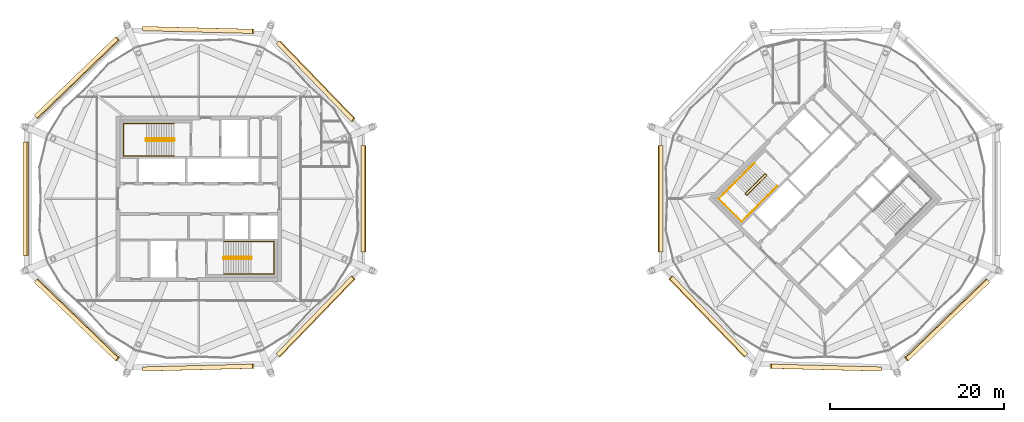
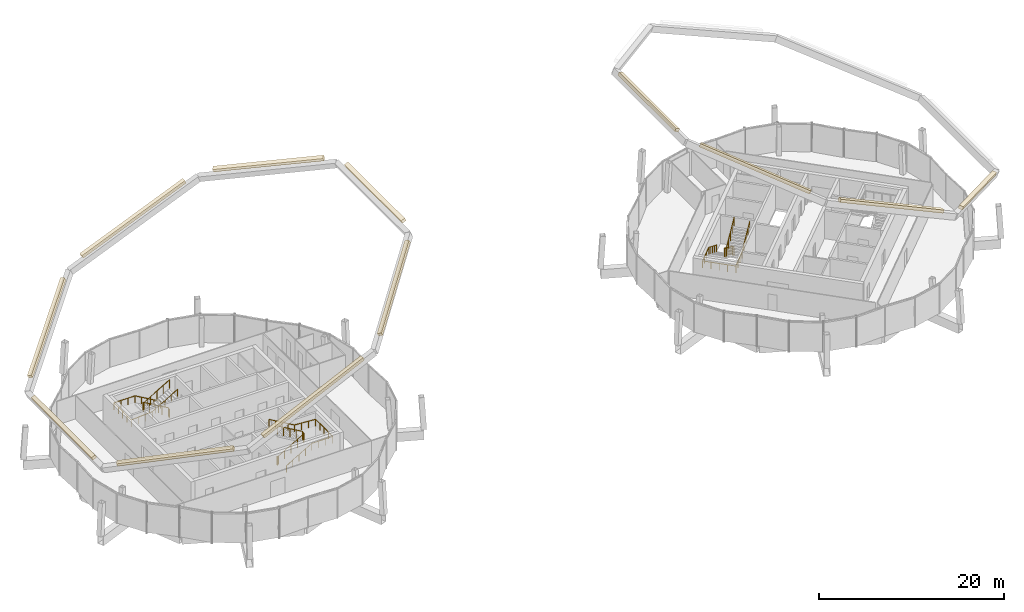
# One storey, part 33 of 34: 12 coverings, 6 railings.
"""IFC4 building model written with IfcOpenShell, lengths in metres."""

from ifc_helpers import new_model, si_unit, direction, frame, origin, origin_2d, place, context, subcontext, project, spatial, rectangle, circle, extrude, material, material_profile, profile_set, type_object, element, save


model = new_model("IFC4")

# Units and contexts
model_context = context("Model", 3, precision=1e-05, world=origin(), true_north=direction((0.0, 1.0)))
body_context = subcontext(model_context, "Body", "Model", "MODEL_VIEW")
ifc_project = project(units=[si_unit("LENGTHUNIT", "METRE"), si_unit("AREAUNIT", "SQUARE_METRE"), si_unit("VOLUMEUNIT", "CUBIC_METRE"), si_unit("PLANEANGLEUNIT", "RADIAN"), si_unit("MASSUNIT", "GRAM", prefix="KILO")], contexts=[model_context])

# Site, building, storey
site_placement = place(None, origin())
site = spatial("IfcSite", under=ifc_project, at=site_placement, CompositionType="ELEMENT")
building_placement = place(site_placement, origin())
building = spatial("IfcBuilding", under=site, at=building_placement, Name="Ogive Gate Towers", CompositionType="ELEMENT")
storey_placement = place(building_placement, frame((0.0, 0.0, 294.0)))
storey = spatial("IfcBuildingStorey", under=building, at=storey_placement, Name="L69", CompositionType="ELEMENT", Elevation=294.0)

# Coverings
ifc_material_1 = material(Name="Cast stone", Category="masonry")
ifc_material_profile = material_profile(ifc_material_1, rectangle(XDim=0.5, YDim=0.39990234375, at=origin_2d()), Name="500 x 400 cast stone")
ifc_profile_set = profile_set([ifc_material_profile], Name="Cast stone")
covering_type = type_object("IfcCoveringType", Name="Crown cornice 500 x 400", PredefinedType="CLADDING", material=ifc_profile_set)
covering_1_placement = place(storey_placement, frame((-18.24755859375, 9.06396484375, 25.660888671875), z_axis=(-0.663296177805, 0.687016902692, -0.296725388069), x_axis=(0.627119673636, 0.72664143516, 0.280558620696)))
element("IfcCovering", 1, at=covering_1_placement, inside=storey, type_object=covering_type, Name="Crown cornice", PredefinedType="CLADDING", context=body_context, shape_type="SweptSolid", body=[
    extrude(rectangle(XDim=0.5, YDim=0.39990234375, at=origin_2d()), origin(), (0.0, 0.0, 1.0), 12.978515625),
])
covering_2_placement = place(storey_placement, frame((-29.740478515625, 19.248291015625, 20.519287109375), z_axis=(-0.912579006378, 0.023066323547, -0.408249313332), x_axis=(0.021056929922, 0.999733936958, 0.009415996893)))
element("IfcCovering", 2, at=covering_2_placement, inside=storey, type_object=covering_type, Name="Crown cornice", PredefinedType="CLADDING", context=body_context, shape_type="SweptSolid", body=[
    extrude(rectangle(XDim=0.5, YDim=0.39990234375, at=origin_2d()), origin(), (0.0, 0.0, 1.0), 13.886474609375),
])
covering_3_placement = place(storey_placement, frame((-45.343994140625, 18.428466796875, 13.538818359375), z_axis=(-0.685199358408, -0.660709384218, -0.306537026873), x_axis=(-0.603105125089, 0.750641798456, -0.269816786918)))
element("IfcCovering", 3, at=covering_3_placement, inside=storey, type_object=covering_type, Name="Crown cornice", PredefinedType="CLADDING", context=body_context, shape_type="SweptSolid", body=[
    extrude(rectangle(XDim=0.5, YDim=0.39990234375, at=origin_2d()), origin(), (0.0, 0.0, 1.0), 13.61767578125),
])
covering_4_placement = place(storey_placement, frame((-55.903076171875, 6.54052734375, 8.815185546875), z_axis=(0.0, -1.0, 0.0), x_axis=(-0.912819923255, 0.0, -0.408362324056)))
element("IfcCovering", 4, at=covering_4_placement, inside=storey, type_object=covering_type, Name="Crown cornice", PredefinedType="CLADDING", context=body_context, shape_type="SweptSolid", body=[
    extrude(rectangle(XDim=0.5, YDim=0.39990234375, at=origin_2d()), origin(), (0.0, 0.0, 1.0), 13.0810546875),
])
covering_5_placement = place(storey_placement, frame((-54.6748046875, -9.43115234375, 9.364501953125), z_axis=(0.685199358408, -0.660709384218, 0.306537026873), x_axis=(-0.603105125089, -0.750641798456, -0.269816786918)))
element("IfcCovering", 5, at=covering_5_placement, inside=storey, type_object=covering_type, Name="Crown cornice", PredefinedType="CLADDING", context=body_context, shape_type="SweptSolid", body=[
    extrude(rectangle(XDim=0.5, YDim=0.39990234375, at=origin_2d()), origin(), (0.0, 0.0, 1.0), 13.61767578125),
])
covering_6_placement = place(storey_placement, frame((-42.4130859375, -19.568603515625, 14.85009765625), z_axis=(0.912579006378, 0.023066323547, 0.408249313332), x_axis=(0.021056929922, -0.999733936958, 0.009415996893)))
element("IfcCovering", 6, at=covering_6_placement, inside=storey, type_object=covering_type, Name="Crown cornice", PredefinedType="CLADDING", context=body_context, shape_type="SweptSolid", body=[
    extrude(rectangle(XDim=0.5, YDim=0.39990234375, at=origin_2d()), origin(), (0.0, 0.0, 1.0), 13.886474609375),
])
covering_7_placement = place(storey_placement, frame((-26.856201171875, -17.98046875, 21.809814453125), z_axis=(0.663296177805, 0.687016902692, 0.296725388069), x_axis=(0.627119673636, -0.72664143516, 0.280558620696)))
element("IfcCovering", 7, at=covering_7_placement, inside=storey, type_object=covering_type, Name="Crown cornice", PredefinedType="CLADDING", context=body_context, shape_type="SweptSolid", body=[
    extrude(rectangle(XDim=0.5, YDim=0.39990234375, at=origin_2d()), origin(), (0.0, 0.0, 1.0), 12.978515625),
])
for number, where, z_axis, x_axis, name in (
    (8, (-17.06591796875, -6.13916015625, 26.189697265625), (0.0, 1.0, 0.0), (0.912819923255, 0.0, 0.408362324056), "Crown cornice"),
    (9, (17.06591796875, 6.13916015625, 26.189697265625), (0.0, -1.0, 0.0), (-0.912819923255, 0.0, 0.408362324056), "Crown cornice"),
):
    element("IfcCovering", number, at=place(storey_placement, frame(where, z_axis=z_axis, x_axis=x_axis)), inside=storey, type_object=covering_type, Name=name, PredefinedType="CLADDING", context=body_context, shape_type="SweptSolid", body=[
        extrude(rectangle(XDim=0.5, YDim=0.39990234375, at=origin_2d()), origin(), (0.0, 0.0, 1.0), 12.2783203125),
    ])
covering_8_placement = place(storey_placement, frame((18.24755859375, -9.06396484375, 25.660888671875), z_axis=(0.663296177805, -0.687016902692, -0.296725388069), x_axis=(-0.627119673636, -0.72664143516, 0.280558620696)))
element("IfcCovering", 10, at=covering_8_placement, inside=storey, type_object=covering_type, Name="Crown cornice", PredefinedType="CLADDING", context=body_context, shape_type="SweptSolid", body=[
    extrude(rectangle(XDim=0.5, YDim=0.39990234375, at=origin_2d()), origin(), (0.0, 0.0, 1.0), 12.978515625),
])
covering_9_placement = place(storey_placement, frame((29.740478515625, -19.248291015625, 20.519287109375), z_axis=(0.912579006378, -0.023066323547, -0.408249313332), x_axis=(-0.021056929922, -0.999733936958, 0.009415996893)))
element("IfcCovering", 11, at=covering_9_placement, inside=storey, type_object=covering_type, Name="Crown cornice", PredefinedType="CLADDING", context=body_context, shape_type="SweptSolid", body=[
    extrude(rectangle(XDim=0.5, YDim=0.39990234375, at=origin_2d()), origin(), (0.0, 0.0, 1.0), 13.886474609375),
])
covering_10_placement = place(storey_placement, frame((45.343994140625, -18.428466796875, 13.538818359375), z_axis=(0.685199358408, 0.660709384218, -0.306537026873), x_axis=(0.603105125089, -0.750641798456, -0.269816786918)))
element("IfcCovering", 12, at=covering_10_placement, inside=storey, type_object=covering_type, Name="Crown cornice", PredefinedType="CLADDING", context=body_context, shape_type="SweptSolid", body=[
    extrude(rectangle(XDim=0.5, YDim=0.39990234375, at=origin_2d()), origin(), (0.0, 0.0, 1.0), 13.61767578125),
])

# Railings
ifc_material_2 = material(Name="Stainless steel", Category="steel")
railing_type_1 = type_object("IfcRailingType", Name="Stair guard 1100", PredefinedType="GUARDRAIL", material=ifc_material_2)
railing_1_placement = place(storey_placement, frame((-38.81494140625, 6.860107421875, 0.0)))
element("IfcRailing", 13, at=railing_1_placement, inside=storey, type_object=railing_type_1, Name="L69 ST1 stair guard 1", PredefinedType="GUARDRAIL", context=body_context, shape_type="SweptSolid", body=[
    extrude(circle(Radius=0.02392578125, at=origin_2d()), frame((0.0, 0.0, 1.076171875), z_axis=(0.0, -1.0, 0.0), x_axis=(1.0, 0.0, 0.0)), (0.0, 0.0, 1.0), 0.14501953125),
    extrude(circle(Radius=0.02392578125, at=origin_2d()), frame((0.0, -0.14501953125, 1.076171875), z_axis=(-0.191553820338, 0.745658285999, 0.638201264834), x_axis=(-0.968551454522, -0.24881334358, 0.0)), (0.0, 0.0, 1.0), 0.26123046875),
    extrude(circle(Radius=0.02392578125, at=origin_2d()), frame((-0.050048828125, 0.0498046875, 1.24267578125), z_axis=(-0.8651563801, 0.0, 0.501502181424), x_axis=(0.0, -1.0, 0.0)), (0.0, 0.0, 1.0), 3.655517578125),
    extrude(circle(Radius=0.02392578125, at=origin_2d()), frame((-3.212646484375, 0.0498046875, 3.076171875), z_axis=(-0.707106781187, -0.707106781187, 0.0), x_axis=(0.707106781187, -0.707106781187, 0.0)), (0.0, 0.0, 1.0), 0.0703125),
    extrude(circle(Radius=0.02392578125, at=origin_2d()), frame((-3.262451171875, 0.0, 3.076171875), z_axis=(0.0, -1.0, 0.0), x_axis=(1.0, 0.0, 0.0)), (0.0, 0.0, 1.0), 0.14501953125),
    extrude(circle(Radius=0.02392578125, at=origin_2d()), frame((-3.262451171875, -0.14501953125, 3.076171875), z_axis=(0.275041040955, -0.276389281352, 0.920848191041), x_axis=(0.708833529934, 0.705375805398, 0.0)), (0.0, 0.0, 1.0), 0.18115234375),
    extrude(circle(Radius=0.02392578125, at=origin_2d()), frame((-3.212646484375, -0.195068359375, 3.24267578125), z_axis=(0.8651563801, 0.0, 0.501502181424), x_axis=(0.0, 1.0, 0.0)), (0.0, 0.0, 1.0), 3.655517578125),
    extrude(circle(Radius=0.02099609375, at=origin_2d()), origin(), (0.0, 0.0, 1.0), 1.052001953125),
    extrude(circle(Radius=0.02099609375, at=origin_2d()), frame((0.0, -0.14501953125, 0.0)), (0.0, 0.0, 1.0), 1.052001953125),
    extrude(circle(Radius=0.02099609375, at=origin_2d()), frame((-0.050048828125, 0.0498046875, 0.166748046875)), (0.0, 0.0, 1.0), 1.052001953125),
    extrude(circle(Radius=0.02099609375, at=origin_2d()), frame((-0.8408203125, 0.0498046875, 0.625)), (0.0, 0.0, 1.0), 1.052001953125),
    extrude(circle(Radius=0.02099609375, at=origin_2d()), frame((-1.63134765625, 0.0498046875, 1.08349609375)), (0.0, 0.0, 1.0), 1.052001953125),
    extrude(circle(Radius=0.02099609375, at=origin_2d()), frame((-2.421875, 0.0498046875, 1.541748046875)), (0.0, 0.0, 1.0), 1.052001953125),
    extrude(circle(Radius=0.02099609375, at=origin_2d()), frame((-3.212646484375, 0.0498046875, 2.0)), (0.0, 0.0, 1.0), 1.052001953125),
    extrude(circle(Radius=0.02099609375, at=origin_2d()), frame((-3.262451171875, 0.0, 2.0)), (0.0, 0.0, 1.0), 1.052001953125),
    extrude(circle(Radius=0.02099609375, at=origin_2d()), frame((-3.262451171875, -0.14501953125, 2.0)), (0.0, 0.0, 1.0), 1.052001953125),
    extrude(circle(Radius=0.02099609375, at=origin_2d()), frame((-3.212646484375, -0.195068359375, 2.166748046875)), (0.0, 0.0, 1.0), 1.052001953125),
    extrude(circle(Radius=0.02099609375, at=origin_2d()), frame((-2.421875, -0.195068359375, 2.625)), (0.0, 0.0, 1.0), 1.052001953125),
    extrude(circle(Radius=0.02099609375, at=origin_2d()), frame((-1.63134765625, -0.195068359375, 3.08349609375)), (0.0, 0.0, 1.0), 1.052001953125),
    extrude(circle(Radius=0.02099609375, at=origin_2d()), frame((-0.8408203125, -0.195068359375, 3.541748046875)), (0.0, 0.0, 1.0), 1.052001953125),
    extrude(circle(Radius=0.02099609375, at=origin_2d()), frame((-0.050048828125, -0.195068359375, 4.0)), (0.0, 0.0, 1.0), 1.052001953125),
])
railing_2_placement = place(storey_placement, frame((-33.18505859375, -6.860107421875, 0.0)))
element("IfcRailing", 14, at=railing_2_placement, inside=storey, type_object=railing_type_1, Name="L69 ST2 stair guard 1", PredefinedType="GUARDRAIL", context=body_context, shape_type="SweptSolid", body=[
    extrude(circle(Radius=0.02392578125, at=origin_2d()), frame((0.0, 0.0, 1.076171875), z_axis=(0.0, 1.0, 0.0), x_axis=(-1.0, 0.0, 0.0)), (0.0, 0.0, 1.0), 0.14501953125),
    extrude(circle(Radius=0.02392578125, at=origin_2d()), frame((0.0, 0.14501953125, 1.076171875), z_axis=(0.191553820338, -0.745658285999, 0.638201264834), x_axis=(0.968551454522, 0.24881334358, 0.0)), (0.0, 0.0, 1.0), 0.26123046875),
    extrude(circle(Radius=0.02392578125, at=origin_2d()), frame((0.050048828125, -0.0498046875, 1.24267578125), z_axis=(0.8651563801, 0.0, 0.501502181424), x_axis=(0.0, 1.0, 0.0)), (0.0, 0.0, 1.0), 3.655517578125),
    extrude(circle(Radius=0.02392578125, at=origin_2d()), frame((3.212646484375, -0.0498046875, 3.076171875), z_axis=(0.707106781187, 0.707106781187, 0.0), x_axis=(-0.707106781187, 0.707106781187, 0.0)), (0.0, 0.0, 1.0), 0.0703125),
    extrude(circle(Radius=0.02392578125, at=origin_2d()), frame((3.262451171875, 0.0, 3.076171875), z_axis=(0.0, 1.0, 0.0), x_axis=(-1.0, 0.0, 0.0)), (0.0, 0.0, 1.0), 0.14501953125),
    extrude(circle(Radius=0.02392578125, at=origin_2d()), frame((3.262451171875, 0.14501953125, 3.076171875), z_axis=(-0.275041040955, 0.276389281352, 0.920848191041), x_axis=(-0.708833529934, -0.705375805398, 0.0)), (0.0, 0.0, 1.0), 0.18115234375),
    extrude(circle(Radius=0.02392578125, at=origin_2d()), frame((3.212646484375, 0.195068359375, 3.24267578125), z_axis=(-0.8651563801, 0.0, 0.501502181424), x_axis=(0.0, -1.0, 0.0)), (0.0, 0.0, 1.0), 3.655517578125),
    extrude(circle(Radius=0.02099609375, at=origin_2d()), origin(), (0.0, 0.0, 1.0), 1.052001953125),
    extrude(circle(Radius=0.02099609375, at=origin_2d()), frame((0.0, 0.14501953125, 0.0)), (0.0, 0.0, 1.0), 1.052001953125),
    extrude(circle(Radius=0.02099609375, at=origin_2d()), frame((0.050048828125, -0.0498046875, 0.166748046875)), (0.0, 0.0, 1.0), 1.052001953125),
    extrude(circle(Radius=0.02099609375, at=origin_2d()), frame((0.8408203125, -0.0498046875, 0.625)), (0.0, 0.0, 1.0), 1.052001953125),
    extrude(circle(Radius=0.02099609375, at=origin_2d()), frame((1.63134765625, -0.0498046875, 1.08349609375)), (0.0, 0.0, 1.0), 1.052001953125),
    extrude(circle(Radius=0.02099609375, at=origin_2d()), frame((2.421875, -0.0498046875, 1.541748046875)), (0.0, 0.0, 1.0), 1.052001953125),
    extrude(circle(Radius=0.02099609375, at=origin_2d()), frame((3.212646484375, -0.0498046875, 2.0)), (0.0, 0.0, 1.0), 1.052001953125),
    extrude(circle(Radius=0.02099609375, at=origin_2d()), frame((3.262451171875, 0.0, 2.0)), (0.0, 0.0, 1.0), 1.052001953125),
    extrude(circle(Radius=0.02099609375, at=origin_2d()), frame((3.262451171875, 0.14501953125, 2.0)), (0.0, 0.0, 1.0), 1.052001953125),
    extrude(circle(Radius=0.02099609375, at=origin_2d()), frame((3.212646484375, 0.195068359375, 2.166748046875)), (0.0, 0.0, 1.0), 1.052001953125),
    extrude(circle(Radius=0.02099609375, at=origin_2d()), frame((2.421875, 0.195068359375, 2.625)), (0.0, 0.0, 1.0), 1.052001953125),
    extrude(circle(Radius=0.02099609375, at=origin_2d()), frame((1.63134765625, 0.195068359375, 3.08349609375)), (0.0, 0.0, 1.0), 1.052001953125),
    extrude(circle(Radius=0.02099609375, at=origin_2d()), frame((0.8408203125, 0.195068359375, 3.541748046875)), (0.0, 0.0, 1.0), 1.052001953125),
    extrude(circle(Radius=0.02099609375, at=origin_2d()), frame((0.050048828125, 0.195068359375, 4.0)), (0.0, 0.0, 1.0), 1.052001953125),
])
railing_3_placement = place(storey_placement, frame((29.15869140625, 2.8603515625, 0.0)))
element("IfcRailing", 15, at=railing_3_placement, inside=storey, type_object=railing_type_1, Name="L69 ST1 stair guard 1", PredefinedType="GUARDRAIL", context=body_context, shape_type="SweptSolid", body=[
    extrude(circle(Radius=0.02392578125, at=origin_2d()), frame((0.0, 0.0, 1.076171875), z_axis=(0.707106781187, -0.707106781187, 0.0), x_axis=(0.707106781187, 0.707106781187, 0.0)), (0.0, 0.0, 1.0), 0.14501953125),
    extrude(circle(Radius=0.02392578125, at=origin_2d()), frame((0.1025390625, -0.1025390625, 1.076171875), z_axis=(-0.662423024494, 0.39240856176, 0.638131065909), x_axis=(-0.509669330572, -0.860370369942, 0.0)), (0.0, 0.0, 1.0), 0.26123046875),
    extrude(circle(Radius=0.02392578125, at=origin_2d()), frame((-0.070556640625, 0.0, 1.24267578125), z_axis=(-0.611760273834, -0.611760273834, 0.50149649522), x_axis=(0.707106781187, -0.707106781187, 0.0)), (0.0, 0.0, 1.0), 3.655517578125),
    extrude(circle(Radius=0.02392578125, at=origin_2d()), frame((-2.306884765625, -2.236328125, 3.076171875), z_axis=(0.0, -1.0, 0.0), x_axis=(1.0, 0.0, 0.0)), (0.0, 0.0, 1.0), 0.07080078125),
    extrude(circle(Radius=0.02392578125, at=origin_2d()), frame((-2.306884765625, -2.30712890625, 3.076171875), z_axis=(0.707106781187, -0.707106781187, 0.0), x_axis=(0.707106781187, 0.707106781187, 0.0)), (0.0, 0.0, 1.0), 0.14501953125),
    extrude(circle(Radius=0.02392578125, at=origin_2d()), frame((-2.204345703125, -2.40966796875, 3.076171875), z_axis=(0.39082670629, 0.0, 0.920464277227), x_axis=(0.0, 1.0, 0.0)), (0.0, 0.0, 1.0), 0.18115234375),
    extrude(circle(Radius=0.02392578125, at=origin_2d()), frame((-2.133544921875, -2.40966796875, 3.24267578125), z_axis=(0.61171847994, 0.611785268725, 0.501516985028), x_axis=(-0.707145379772, 0.707068180494, 0.0)), (0.0, 0.0, 1.0), 3.655517578125),
    extrude(circle(Radius=0.02099609375, at=origin_2d()), origin(), (0.0, 0.0, 1.0), 1.052001953125),
    extrude(circle(Radius=0.02099609375, at=origin_2d()), frame((0.1025390625, -0.1025390625, 0.0)), (0.0, 0.0, 1.0), 1.052001953125),
    extrude(circle(Radius=0.02099609375, at=origin_2d()), frame((-0.070556640625, 0.0, 0.166748046875)), (0.0, 0.0, 1.0), 1.052001953125),
    extrude(circle(Radius=0.02099609375, at=origin_2d()), frame((-0.629638671875, -0.55908203125, 0.625)), (0.0, 0.0, 1.0), 1.052001953125),
    extrude(circle(Radius=0.02099609375, at=origin_2d()), frame((-1.188720703125, -1.1181640625, 1.08349609375)), (0.0, 0.0, 1.0), 1.052001953125),
    extrude(circle(Radius=0.02099609375, at=origin_2d()), frame((-1.747802734375, -1.67724609375, 1.541748046875)), (0.0, 0.0, 1.0), 1.052001953125),
    extrude(circle(Radius=0.02099609375, at=origin_2d()), frame((-2.306884765625, -2.236328125, 2.0)), (0.0, 0.0, 1.0), 1.052001953125),
    extrude(circle(Radius=0.02099609375, at=origin_2d()), frame((-2.306884765625, -2.30712890625, 2.0)), (0.0, 0.0, 1.0), 1.052001953125),
    extrude(circle(Radius=0.02099609375, at=origin_2d()), frame((-2.204345703125, -2.40966796875, 2.0)), (0.0, 0.0, 1.0), 1.052001953125),
    extrude(circle(Radius=0.02099609375, at=origin_2d()), frame((-2.133544921875, -2.40966796875, 2.166748046875)), (0.0, 0.0, 1.0), 1.052001953125),
    extrude(circle(Radius=0.02099609375, at=origin_2d()), frame((-1.574462890625, -1.8505859375, 2.625)), (0.0, 0.0, 1.0), 1.052001953125),
    extrude(circle(Radius=0.02099609375, at=origin_2d()), frame((-1.015625, -1.29150390625, 3.08349609375)), (0.0, 0.0, 1.0), 1.052001953125),
    extrude(circle(Radius=0.02099609375, at=origin_2d()), frame((-0.45654296875, -0.732421875, 3.541748046875)), (0.0, 0.0, 1.0), 1.052001953125),
    extrude(circle(Radius=0.02099609375, at=origin_2d()), frame((0.1025390625, -0.17333984375, 4.0)), (0.0, 0.0, 1.0), 1.052001953125),
])
railing_type_2 = type_object("IfcRailingType", Name="Stair handrail 900", PredefinedType="HANDRAIL", material=ifc_material_2)
railing_4_placement = place(storey_placement, frame((-38.864990234375, 8.64990234375, 0.166748046875)))
element("IfcRailing", 16, at=railing_4_placement, inside=storey, type_object=railing_type_2, Name="L69 ST1 stair handrail 1", PredefinedType="HANDRAIL", context=body_context, shape_type="SweptSolid", body=[
    extrude(circle(Radius=0.02392578125, at=origin_2d()), frame((0.0, 0.0, 0.8759765625), z_axis=(-0.8651563801, 0.0, 0.501502181424), x_axis=(0.0, -1.0, 0.0)), (0.0, 0.0, 1.0), 3.655517578125),
    extrude(circle(Radius=0.02392578125, at=origin_2d()), frame((-3.16259765625, 0.0, 2.708984375), z_axis=(-1.0, 0.0, 0.0), x_axis=(0.0, -1.0, 0.0)), (0.0, 0.0, 1.0), 2.622314453125),
    extrude(circle(Radius=0.02392578125, at=origin_2d()), frame((-5.784912109375, 0.0, 2.708984375), z_axis=(0.0, -1.0, 0.0), x_axis=(1.0, 0.0, 0.0)), (0.0, 0.0, 1.0), 3.724853515625),
    extrude(circle(Radius=0.02392578125, at=origin_2d()), frame((-5.784912109375, -3.724853515625, 2.708984375), z_axis=(0.997984385948, 0.0, 0.063459951178), x_axis=(0.0, 1.0, 0.0)), (0.0, 0.0, 1.0), 2.627685546875),
    extrude(circle(Radius=0.02392578125, at=origin_2d()), frame((-3.16259765625, -3.724853515625, 2.8759765625), z_axis=(0.8651563801, 0.0, 0.501502181424), x_axis=(0.0, 1.0, 0.0)), (0.0, 0.0, 1.0), 3.655517578125),
    extrude(circle(Radius=0.02099609375, at=origin_2d()), origin(), (0.0, 0.0, 1.0), 0.851806640625),
    extrude(circle(Radius=0.02099609375, at=origin_2d()), frame((-0.79052734375, 0.0, 0.458251953125)), (0.0, 0.0, 1.0), 0.851806640625),
    extrude(circle(Radius=0.02099609375, at=origin_2d()), frame((-1.581298828125, 0.0, 0.91650390625)), (0.0, 0.0, 1.0), 0.851806640625),
    extrude(circle(Radius=0.02099609375, at=origin_2d()), frame((-2.3720703125, 0.0, 1.375)), (0.0, 0.0, 1.0), 0.851806640625),
    extrude(circle(Radius=0.02099609375, at=origin_2d()), frame((-3.16259765625, 0.0, 1.833251953125)), (0.0, 0.0, 1.0), 0.851806640625),
    extrude(circle(Radius=0.02099609375, at=origin_2d()), frame((-4.03662109375, 0.0, 1.833251953125)), (0.0, 0.0, 1.0), 0.851806640625),
    extrude(circle(Radius=0.02099609375, at=origin_2d()), frame((-4.910888671875, 0.0, 1.833251953125)), (0.0, 0.0, 1.0), 0.851806640625),
    extrude(circle(Radius=0.02099609375, at=origin_2d()), frame((-5.784912109375, 0.0, 1.833251953125)), (0.0, 0.0, 1.0), 0.851806640625),
    extrude(circle(Radius=0.02099609375, at=origin_2d()), frame((-5.784912109375, -0.93115234375, 1.833251953125)), (0.0, 0.0, 1.0), 0.851806640625),
    extrude(circle(Radius=0.02099609375, at=origin_2d()), frame((-5.784912109375, -1.8623046875, 1.833251953125)), (0.0, 0.0, 1.0), 0.851806640625),
    extrude(circle(Radius=0.02099609375, at=origin_2d()), frame((-5.784912109375, -2.793701171875, 1.833251953125)), (0.0, 0.0, 1.0), 0.851806640625),
    extrude(circle(Radius=0.02099609375, at=origin_2d()), frame((-5.784912109375, -3.724853515625, 1.833251953125)), (0.0, 0.0, 1.0), 0.851806640625),
    extrude(circle(Radius=0.02099609375, at=origin_2d()), frame((-4.910888671875, -3.724853515625, 1.888916015625)), (0.0, 0.0, 1.0), 0.851806640625),
    extrude(circle(Radius=0.02099609375, at=origin_2d()), frame((-4.03662109375, -3.724853515625, 1.9443359375)), (0.0, 0.0, 1.0), 0.851806640625),
    extrude(circle(Radius=0.02099609375, at=origin_2d()), frame((-3.16259765625, -3.724853515625, 2.0)), (0.0, 0.0, 1.0), 0.851806640625),
    extrude(circle(Radius=0.02099609375, at=origin_2d()), frame((-2.3720703125, -3.724853515625, 2.458251953125)), (0.0, 0.0, 1.0), 0.851806640625),
    extrude(circle(Radius=0.02099609375, at=origin_2d()), frame((-1.581298828125, -3.724853515625, 2.91650390625)), (0.0, 0.0, 1.0), 0.851806640625),
    extrude(circle(Radius=0.02099609375, at=origin_2d()), frame((-0.79052734375, -3.724853515625, 3.375)), (0.0, 0.0, 1.0), 0.851806640625),
    extrude(circle(Radius=0.02099609375, at=origin_2d()), frame((0.0, -3.724853515625, 3.833251953125)), (0.0, 0.0, 1.0), 0.851806640625),
])
railing_5_placement = place(storey_placement, frame((-33.135009765625, -8.64990234375, 0.166748046875)))
element("IfcRailing", 17, at=railing_5_placement, inside=storey, type_object=railing_type_2, Name="L69 ST2 stair handrail 1", PredefinedType="HANDRAIL", context=body_context, shape_type="SweptSolid", body=[
    extrude(circle(Radius=0.02392578125, at=origin_2d()), frame((0.0, 0.0, 0.8759765625), z_axis=(0.8651563801, 0.0, 0.501502181424), x_axis=(0.0, 1.0, 0.0)), (0.0, 0.0, 1.0), 3.655517578125),
    extrude(circle(Radius=0.02392578125, at=origin_2d()), frame((3.16259765625, 0.0, 2.708984375), z_axis=(1.0, 0.0, 0.0), x_axis=(0.0, 1.0, 0.0)), (0.0, 0.0, 1.0), 2.622314453125),
    extrude(circle(Radius=0.02392578125, at=origin_2d()), frame((5.784912109375, 0.0, 2.708984375), z_axis=(0.0, 1.0, 0.0), x_axis=(-1.0, 0.0, 0.0)), (0.0, 0.0, 1.0), 3.724853515625),
    extrude(circle(Radius=0.02392578125, at=origin_2d()), frame((5.784912109375, 3.724853515625, 2.708984375), z_axis=(-0.997984385948, 0.0, 0.063459951178), x_axis=(0.0, -1.0, 0.0)), (0.0, 0.0, 1.0), 2.627685546875),
    extrude(circle(Radius=0.02392578125, at=origin_2d()), frame((3.16259765625, 3.724853515625, 2.8759765625), z_axis=(-0.8651563801, 0.0, 0.501502181424), x_axis=(0.0, -1.0, 0.0)), (0.0, 0.0, 1.0), 3.655517578125),
    extrude(circle(Radius=0.02099609375, at=origin_2d()), origin(), (0.0, 0.0, 1.0), 0.851806640625),
    extrude(circle(Radius=0.02099609375, at=origin_2d()), frame((0.79052734375, 0.0, 0.458251953125)), (0.0, 0.0, 1.0), 0.851806640625),
    extrude(circle(Radius=0.02099609375, at=origin_2d()), frame((1.581298828125, 0.0, 0.91650390625)), (0.0, 0.0, 1.0), 0.851806640625),
    extrude(circle(Radius=0.02099609375, at=origin_2d()), frame((2.3720703125, 0.0, 1.375)), (0.0, 0.0, 1.0), 0.851806640625),
    extrude(circle(Radius=0.02099609375, at=origin_2d()), frame((3.16259765625, 0.0, 1.833251953125)), (0.0, 0.0, 1.0), 0.851806640625),
    extrude(circle(Radius=0.02099609375, at=origin_2d()), frame((4.03662109375, 0.0, 1.833251953125)), (0.0, 0.0, 1.0), 0.851806640625),
    extrude(circle(Radius=0.02099609375, at=origin_2d()), frame((4.910888671875, 0.0, 1.833251953125)), (0.0, 0.0, 1.0), 0.851806640625),
    extrude(circle(Radius=0.02099609375, at=origin_2d()), frame((5.784912109375, 0.0, 1.833251953125)), (0.0, 0.0, 1.0), 0.851806640625),
    extrude(circle(Radius=0.02099609375, at=origin_2d()), frame((5.784912109375, 0.93115234375, 1.833251953125)), (0.0, 0.0, 1.0), 0.851806640625),
    extrude(circle(Radius=0.02099609375, at=origin_2d()), frame((5.784912109375, 1.8623046875, 1.833251953125)), (0.0, 0.0, 1.0), 0.851806640625),
    extrude(circle(Radius=0.02099609375, at=origin_2d()), frame((5.784912109375, 2.793701171875, 1.833251953125)), (0.0, 0.0, 1.0), 0.851806640625),
    extrude(circle(Radius=0.02099609375, at=origin_2d()), frame((5.784912109375, 3.724853515625, 1.833251953125)), (0.0, 0.0, 1.0), 0.851806640625),
    extrude(circle(Radius=0.02099609375, at=origin_2d()), frame((4.910888671875, 3.724853515625, 1.888916015625)), (0.0, 0.0, 1.0), 0.851806640625),
    extrude(circle(Radius=0.02099609375, at=origin_2d()), frame((4.03662109375, 3.724853515625, 1.9443359375)), (0.0, 0.0, 1.0), 0.851806640625),
    extrude(circle(Radius=0.02099609375, at=origin_2d()), frame((3.16259765625, 3.724853515625, 2.0)), (0.0, 0.0, 1.0), 0.851806640625),
    extrude(circle(Radius=0.02099609375, at=origin_2d()), frame((2.3720703125, 3.724853515625, 2.458251953125)), (0.0, 0.0, 1.0), 0.851806640625),
    extrude(circle(Radius=0.02099609375, at=origin_2d()), frame((1.581298828125, 3.724853515625, 2.91650390625)), (0.0, 0.0, 1.0), 0.851806640625),
    extrude(circle(Radius=0.02099609375, at=origin_2d()), frame((0.79052734375, 3.724853515625, 3.375)), (0.0, 0.0, 1.0), 0.851806640625),
    extrude(circle(Radius=0.02099609375, at=origin_2d()), frame((0.0, 3.724853515625, 3.833251953125)), (0.0, 0.0, 1.0), 0.851806640625),
])
railing_6_placement = place(storey_placement, frame((27.857666015625, 4.090576171875, 0.166748046875)))
element("IfcRailing", 18, at=railing_6_placement, inside=storey, type_object=railing_type_2, Name="L69 ST1 stair handrail 1", PredefinedType="HANDRAIL", context=body_context, shape_type="SweptSolid", body=[
    extrude(circle(Radius=0.02392578125, at=origin_2d()), frame((0.0, 0.0, 0.8759765625), z_axis=(-0.611785268725, -0.61171847994, 0.501516985028), x_axis=(0.707068180494, -0.707145379772, 0.0)), (0.0, 0.0, 1.0), 3.655517578125),
    extrude(circle(Radius=0.02392578125, at=origin_2d()), frame((-2.236328125, -2.236083984375, 2.708984375), z_axis=(-0.70706023191, -0.707153327399, 0.0), x_axis=(0.707153327399, -0.70706023191, 0.0)), (0.0, 0.0, 1.0), 2.62255859375),
    extrude(circle(Radius=0.02392578125, at=origin_2d()), frame((-4.090576171875, -4.090576171875, 2.708984375), z_axis=(0.707106781187, -0.707106781187, 0.0), x_axis=(0.707106781187, 0.707106781187, 0.0)), (0.0, 0.0, 1.0), 3.72509765625),
    extrude(circle(Radius=0.02392578125, at=origin_2d()), frame((-1.45654296875, -6.724609375, 2.708984375), z_axis=(0.705635245741, 0.705728153607, 0.06345607279), x_axis=(-0.707153327399, 0.70706023191, 0.0)), (0.0, 0.0, 1.0), 2.627685546875),
    extrude(circle(Radius=0.02392578125, at=origin_2d()), frame((0.397705078125, -4.8701171875, 2.8759765625), z_axis=(0.611785268725, 0.61171847994, 0.501516985028), x_axis=(-0.707068180494, 0.707145379772, 0.0)), (0.0, 0.0, 1.0), 3.655517578125),
    extrude(circle(Radius=0.02099609375, at=origin_2d()), origin(), (0.0, 0.0, 1.0), 0.851806640625),
    extrude(circle(Radius=0.02099609375, at=origin_2d()), frame((-0.55908203125, -0.55908203125, 0.458251953125)), (0.0, 0.0, 1.0), 0.851806640625),
    extrude(circle(Radius=0.02099609375, at=origin_2d()), frame((-1.1181640625, -1.1181640625, 0.91650390625)), (0.0, 0.0, 1.0), 0.851806640625),
    extrude(circle(Radius=0.02099609375, at=origin_2d()), frame((-1.67724609375, -1.677001953125, 1.375)), (0.0, 0.0, 1.0), 0.851806640625),
    extrude(circle(Radius=0.02099609375, at=origin_2d()), frame((-2.236328125, -2.236083984375, 1.833251953125)), (0.0, 0.0, 1.0), 0.851806640625),
    extrude(circle(Radius=0.02099609375, at=origin_2d()), frame((-2.8544921875, -2.854248046875, 1.833251953125)), (0.0, 0.0, 1.0), 0.851806640625),
    extrude(circle(Radius=0.02099609375, at=origin_2d()), frame((-3.472412109375, -3.472412109375, 1.833251953125)), (0.0, 0.0, 1.0), 0.851806640625),
    extrude(circle(Radius=0.02099609375, at=origin_2d()), frame((-4.090576171875, -4.090576171875, 1.833251953125)), (0.0, 0.0, 1.0), 0.851806640625),
    extrude(circle(Radius=0.02099609375, at=origin_2d()), frame((-3.43212890625, -4.7490234375, 1.833251953125)), (0.0, 0.0, 1.0), 0.851806640625),
    extrude(circle(Radius=0.02099609375, at=origin_2d()), frame((-2.7734375, -5.40771484375, 1.833251953125)), (0.0, 0.0, 1.0), 0.851806640625),
    extrude(circle(Radius=0.02099609375, at=origin_2d()), frame((-2.114990234375, -6.066162109375, 1.833251953125)), (0.0, 0.0, 1.0), 0.851806640625),
    extrude(circle(Radius=0.02099609375, at=origin_2d()), frame((-1.45654296875, -6.724609375, 1.833251953125)), (0.0, 0.0, 1.0), 0.851806640625),
    extrude(circle(Radius=0.02099609375, at=origin_2d()), frame((-0.83837890625, -6.1064453125, 1.888916015625)), (0.0, 0.0, 1.0), 0.851806640625),
    extrude(circle(Radius=0.02099609375, at=origin_2d()), frame((-0.220458984375, -5.48828125, 1.9443359375)), (0.0, 0.0, 1.0), 0.851806640625),
    extrude(circle(Radius=0.02099609375, at=origin_2d()), frame((0.397705078125, -4.8701171875, 2.0)), (0.0, 0.0, 1.0), 0.851806640625),
    extrude(circle(Radius=0.02099609375, at=origin_2d()), frame((0.956787109375, -4.31103515625, 2.458251953125)), (0.0, 0.0, 1.0), 0.851806640625),
    extrude(circle(Radius=0.02099609375, at=origin_2d()), frame((1.515869140625, -3.751953125, 2.91650390625)), (0.0, 0.0, 1.0), 0.851806640625),
    extrude(circle(Radius=0.02099609375, at=origin_2d()), frame((2.074951171875, -3.193115234375, 3.375)), (0.0, 0.0, 1.0), 0.851806640625),
    extrude(circle(Radius=0.02099609375, at=origin_2d()), frame((2.634033203125, -2.634033203125, 3.833251953125)), (0.0, 0.0, 1.0), 0.851806640625),
])

save(model, "model.ifc")
